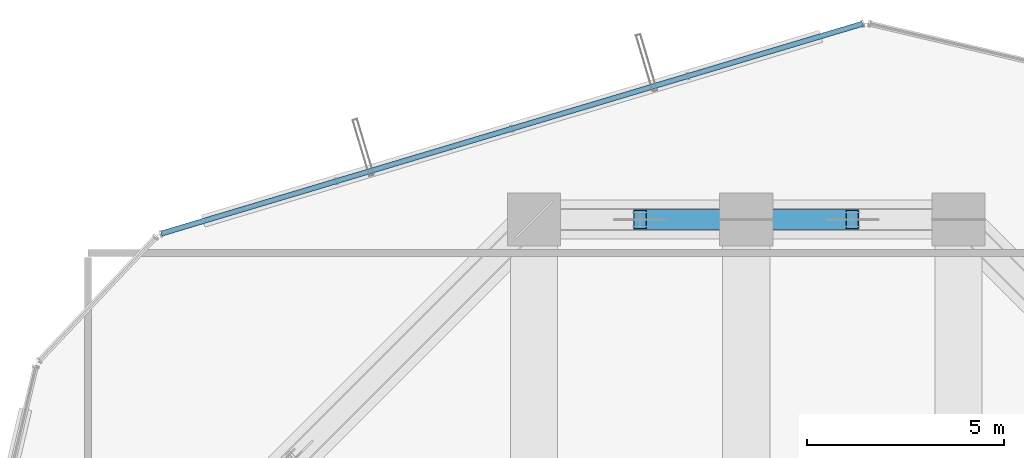
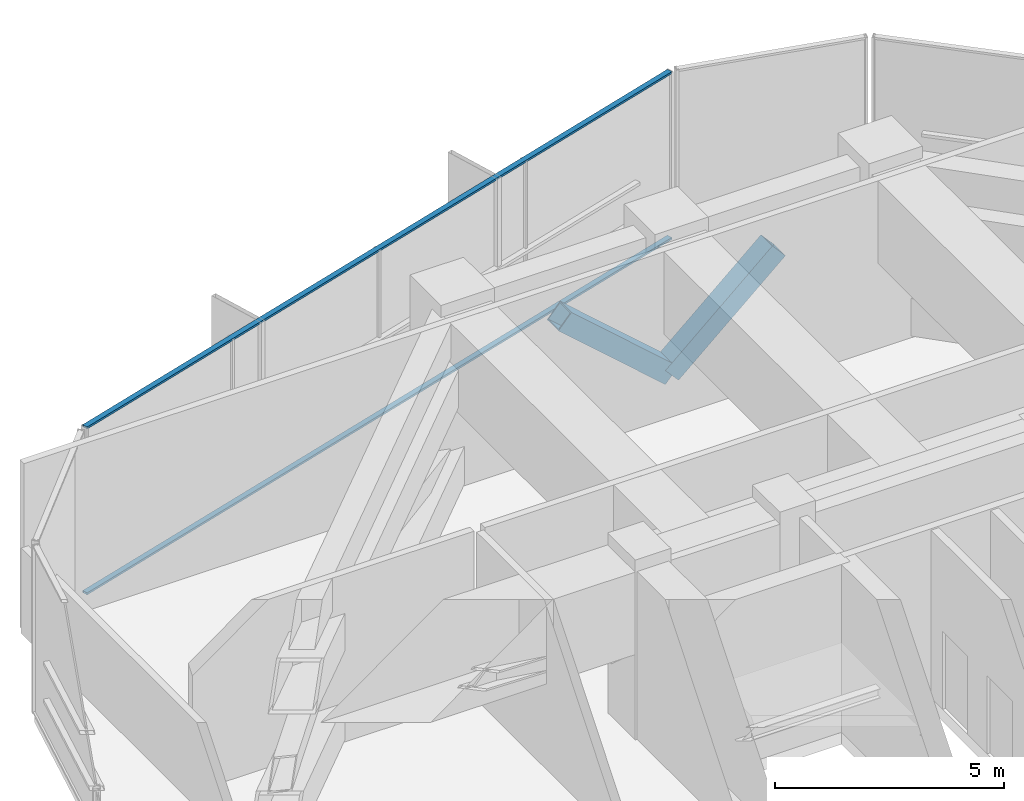
# One storey, part 28 of 41: 4 members, 1 element without a shape of its own.
"""IFC4 building model written with IfcOpenShell, lengths in metres."""

import ifcopenshell
import ifcopenshell.guid

model = None  # the IFC model being written
_history = None  # IfcOwnerHistory: only IFC2X3 demands one
_inside = {}  # id of a spatial element -> (the spatial element, [elements in it])
_under = {}  # id of a project, library or spatial element -> (it, [spatial elements below it])
_declared = {}  # id of a project -> (the project, [libraries it declares])
_typed = {}  # id of a type object -> (the type object, [elements of that type])
_made_of = {}  # id of a material, layer set ... -> (it, [elements and type objects made of it])


def new_model(schema):
    """Start an empty IFC model of exactly this schema.

    Asked for "IFC4X3", IfcOpenShell would pick the latest addendum, in which some entities
    have other attributes; the version numbers below select the first issue.
    IFC2X3 requires an IfcOwnerHistory on every rooted entity: one is made here for all.
    """
    global model, _history
    if schema == "IFC4X3":
        model = ifcopenshell.file(schema_version=(4, 3, 0, 0))
    else:
        model = ifcopenshell.file(schema=schema)
    _inside.clear()
    _under.clear()
    _declared.clear()
    _typed.clear()
    _made_of.clear()
    _history = None
    if model.schema == "IFC2X3":
        org = make("IfcOrganization", Name="unknown")
        user = make(
            "IfcPersonAndOrganization",
            ThePerson=make("IfcPerson", FamilyName="unknown"),
            TheOrganization=org,
        )
        app = make(
            "IfcApplication",
            ApplicationDeveloper=org,
            Version="unknown",
            ApplicationFullName="unknown",
            ApplicationIdentifier="unknown",
        )
        _history = make(
            "IfcOwnerHistory",
            OwningUser=user,
            OwningApplication=app,
            ChangeAction="ADDED",
            CreationDate=0,
        )
    return model


def make(cls, **values):
    """One entity of the class cls with the attributes given. An attribute that is None is left unset."""
    return model.create_entity(
        cls, **{name: value for name, value in values.items() if value is not None}
    )


def rooted(cls, **values):
    """An entity with a GlobalId (a new one), such as an element, a storey or a relation."""
    return make(cls, GlobalId=ifcopenshell.guid.new(), OwnerHistory=_history, **values)


def si_unit(unit_type, name, prefix=None):
    """IfcSIUnit, for example si_unit("LENGTHUNIT", "METRE", prefix="MILLI")."""
    return make("IfcSIUnit", UnitType=unit_type, Prefix=prefix, Name=name)


def assignment(units):
    """IfcUnitAssignment: the units of a project."""
    return None if units is None else make("IfcUnitAssignment", Units=units)


def point(xyz):
    """IfcCartesianPoint."""
    return None if xyz is None else make("IfcCartesianPoint", Coordinates=xyz)


def direction(xyz):
    """IfcDirection."""
    return None if xyz is None else make("IfcDirection", DirectionRatios=xyz)


def frame(location, z_axis=None, x_axis=None):
    """IfcAxis2Placement3D, a coordinate frame: its origin and axes. An axis left out is left unset."""
    return make(
        "IfcAxis2Placement3D",
        Location=point(location),
        Axis=direction(z_axis),
        RefDirection=direction(x_axis),
    )


def frame_2d(location, x_axis=None):
    """IfcAxis2Placement2D, a coordinate frame in the plane: its origin and x axis."""
    return make(
        "IfcAxis2Placement2D", Location=point(location), RefDirection=direction(x_axis)
    )


def origin():
    """The frame at (0, 0, 0) with its axes left unset."""
    return frame((0.0, 0.0, 0.0))


def origin_2d():
    """The frame at (0, 0) in the plane with its x axis left unset."""
    return frame_2d((0.0, 0.0))


def place(relative_to, where):
    """IfcLocalPlacement: puts the frame where relative to a parent placement (None: the world)."""
    return make(
        "IfcLocalPlacement", PlacementRelTo=relative_to, RelativePlacement=where
    )


def context(
    kind, dimensions, precision=None, world=None, true_north=None, identifier=None
):
    """IfcGeometricRepresentationContext, for example the 3D "Model" context."""
    return make(
        "IfcGeometricRepresentationContext",
        ContextIdentifier=identifier,
        ContextType=kind,
        CoordinateSpaceDimension=dimensions,
        Precision=precision,
        WorldCoordinateSystem=world,
        TrueNorth=true_north,
    )


def subcontext(parent, identifier, kind, view, scale=None):
    """IfcGeometricRepresentationSubContext, for example "Body" below "Model"."""
    return make(
        "IfcGeometricRepresentationSubContext",
        ContextIdentifier=identifier,
        ContextType=kind,
        ParentContext=parent,
        TargetScale=scale,
        TargetView=view,
    )


def project(units=None, contexts=None):
    """IfcProject with its units and contexts."""
    return rooted(
        "IfcProject",
        Name="project",
        RepresentationContexts=contexts,
        UnitsInContext=assignment(units),
    )


def spatial(cls, under=None, at=None, **own):
    """A site, building, storey or space (cls), placed at a placement, below another one or the project."""
    s = rooted(cls, ObjectPlacement=at, **own)
    if under is not None:
        _under.setdefault(under.id(), (under, []))[1].append(s)
    return s


def profile(cls, at=None, kind="AREA", **sizes):
    """A parametric profile (cls). Its sizes go by their IFC names, for example OverallWidth=200.0."""
    return make(cls, ProfileType=kind, Position=at, **sizes)


def hollow_rectangle(**sizes):
    """IfcRectangleHollowProfileDef."""
    return profile("IfcRectangleHollowProfileDef", **sizes)


def extrude(swept, where, along, depth):
    """IfcExtrudedAreaSolid: the profile swept, set in the frame where, extruded along a direction by depth."""
    return make(
        "IfcExtrudedAreaSolid",
        SweptArea=swept,
        Position=where,
        ExtrudedDirection=direction(along),
        Depth=depth,
    )


def shape(context_of_items, identifier, shape_type, items):
    """IfcShapeRepresentation: the items that make up one representation, for example the "Body"."""
    return make(
        "IfcShapeRepresentation",
        ContextOfItems=context_of_items,
        RepresentationIdentifier=identifier,
        RepresentationType=shape_type,
        Items=items,
    )


def source(mapping_origin, context_of_items, identifier, shape_type, items):
    """IfcRepresentationMap: a shape defined once, which mapped items show again and again."""
    return make(
        "IfcRepresentationMap",
        MappingOrigin=mapping_origin,
        MappedRepresentation=shape(context_of_items, identifier, shape_type, items),
    )


def transform(
    local_origin,
    x_axis=None,
    y_axis=None,
    z_axis=None,
    scale=None,
    scale2=None,
    scale3=None,
    uniform=True,
):
    """IfcCartesianTransformationOperator3D, or its non-uniform kind. x_axis, y_axis, z_axis: its Axis1, 2, 3."""
    if uniform:
        return make(
            "IfcCartesianTransformationOperator3D",
            Axis1=direction(x_axis),
            Axis2=direction(y_axis),
            LocalOrigin=point(local_origin),
            Scale=scale,
            Axis3=direction(z_axis),
        )
    return make(
        "IfcCartesianTransformationOperator3DnonUniform",
        Axis1=direction(x_axis),
        Axis2=direction(y_axis),
        LocalOrigin=point(local_origin),
        Scale=scale,
        Axis3=direction(z_axis),
        Scale2=scale2,
        Scale3=scale3,
    )


def mapped(mapping_source, mapping_target):
    """IfcMappedItem: shows the shape of a source again, moved by a transform."""
    return make(
        "IfcMappedItem", MappingSource=mapping_source, MappingTarget=mapping_target
    )


def material(Name=None, Category=None):
    """IfcMaterial."""
    return make("IfcMaterial", Name=Name, Category=Category)


def layer(
    of_material, thickness, ventilated=None, Name=None, Category=None, Priority=None
):
    """IfcMaterialLayer: one layer of a wall or slab, of a material (None: an air gap)."""
    return make(
        "IfcMaterialLayer",
        Material=of_material,
        LayerThickness=thickness,
        IsVentilated=ventilated,
        Name=Name,
        Category=Category,
        Priority=Priority,
    )


def layer_set(layers, Name=None):
    """IfcMaterialLayerSet."""
    return make("IfcMaterialLayerSet", MaterialLayers=layers, LayerSetName=Name)


def material_profile(
    of_material, cross_section, Name=None, Category=None, Priority=None
):
    """IfcMaterialProfile: a cross section and its material."""
    return make(
        "IfcMaterialProfile",
        Name=Name,
        Material=of_material,
        Profile=cross_section,
        Priority=Priority,
        Category=Category,
    )


def profile_set(profiles, Name=None, composite=None):
    """IfcMaterialProfileSet."""
    return make(
        "IfcMaterialProfileSet",
        Name=Name,
        MaterialProfiles=profiles,
        CompositeProfile=composite,
    )


def made_of(thing, what):
    """Note that an element or type object is made of a material, layer set ...; save() writes the relation."""
    if what is not None:
        _made_of.setdefault(what.id(), (what, []))[1].append(thing)
    return thing


def type_object(cls, material=None, **own):
    """A type object (cls), such as IfcWallType, which elements share."""
    return made_of(rooted(cls, **own), material)


def element(
    cls,
    number,
    at=None,
    inside=None,
    cuts=None,
    type_object=None,
    material=None,
    context=None,
    identifier="Body",
    shape_type=None,
    held_by="IfcProductDefinitionShape",
    body=None,
    shapes=None,
    **own,
):
    """One element of the class cls, such as IfcWall. Its Tag is "e" and its number.

    at: its placement. inside: the storey or other place that contains it. cuts: it is an
    opening in that element (IfcRelVoidsElement). A single representation is given by context,
    identifier, shape_type and body (its items); several are given by shapes. held_by: the class
    of the entity that holds the representations. save() writes the other relations.
    """
    e = rooted(cls, Tag="e%d" % number, ObjectPlacement=at, **own)
    if body is not None:
        shapes = [shape(context, identifier, shape_type, body)]
    if shapes is not None:
        e.Representation = make(held_by, Representations=shapes)
    if inside is not None:
        _inside.setdefault(inside.id(), (inside, []))[1].append(e)
    if cuts is not None:
        rooted(
            "IfcRelVoidsElement", RelatingBuildingElement=cuts, RelatedOpeningElement=e
        )
    if type_object is not None:
        _typed.setdefault(type_object.id(), (type_object, []))[1].append(e)
    return made_of(e, material)


def aggregate(whole, parts):
    """IfcRelAggregates: a whole, such as a stair, and the parts it consists of."""
    return rooted("IfcRelAggregates", RelatingObject=whole, RelatedObjects=parts)


def save(model, path):
    """Write the relations noted so far, then the file.

    IfcRelAggregates (storeys below a building ...), IfcRelContainedInSpatialStructure (elements
    in a storey), IfcRelDefinesByType, IfcRelAssociatesMaterial and IfcRelDeclares: one each for
    every whole, place, type object, material and project.
    """
    for whole, parts in _under.values():
        aggregate(whole, parts)
    for where, things in _inside.values():
        rooted(
            "IfcRelContainedInSpatialStructure",
            RelatedElements=things,
            RelatingStructure=where,
        )
    for kind, things in _typed.values():
        rooted("IfcRelDefinesByType", RelatedObjects=things, RelatingType=kind)
    for what, things in _made_of.values():
        rooted("IfcRelAssociatesMaterial", RelatedObjects=things, RelatingMaterial=what)
    for by, libraries in _declared.values():
        rooted("IfcRelDeclares", RelatingContext=by, RelatedDefinitions=libraries)
    model.write(path)


model = new_model("IFC4")

# Units and contexts
model_context = context("Model", 3, precision=1e-05, world=origin(), true_north=direction((0.0, 1.0)))
body_context = subcontext(model_context, "Body", "Model", "MODEL_VIEW")
ifc_project = project(units=[si_unit("LENGTHUNIT", "METRE"), si_unit("AREAUNIT", "SQUARE_METRE"), si_unit("VOLUMEUNIT", "CUBIC_METRE"), si_unit("PLANEANGLEUNIT", "RADIAN"), si_unit("MASSUNIT", "GRAM", prefix="KILO")], contexts=[model_context])

# Site, building, storey
site_placement = place(None, origin())
site = spatial("IfcSite", under=ifc_project, at=site_placement, CompositionType="ELEMENT")
building_placement = place(site_placement, origin())
building = spatial("IfcBuilding", under=site, at=building_placement, Name="Veraguas Prism Commons", CompositionType="ELEMENT")
storey_placement = place(building_placement, frame((0.0, 0.0, 80.35009765625)))
storey = spatial("IfcBuildingStorey", under=building, at=storey_placement, Name="L22", CompositionType="ELEMENT", Elevation=80.35009765625)

# Members
ifc_material_1 = material(Name="Steel ASTM A572 Grade 50", Category="steel")
ifc_material_profile_1 = material_profile(ifc_material_1, hollow_rectangle(XDim=0.5, YDim=0.5, WallThickness=0.02490234375, at=origin_2d()), Name="BOX500X500X25")
ifc_profile_set_1 = profile_set([ifc_material_profile_1], Name="Steel ASTM A572 Grade 50")
member_type_1 = type_object("IfcMemberType", Name="Perimeter Belt Diagonal BOX 500x500x25", PredefinedType="BRACE", material=ifc_profile_set_1)
for number, where, z_axis, x_axis, name in (
    (1, (24.0, 41.60009765625, 0.5498046875), (0.750138660667, 0.0, 0.66128056812), (0.0, 1.0, 0.0), "Perimeter Belt Truss Brace L22-04B"),
    (2, (24.0, 41.60009765625, 0.5498046875), (-0.750138660667, 0.0, 0.66128056812), (0.0, -1.0, 0.0), "Perimeter Belt Truss Brace L22-05A"),
):
    element("IfcMember", number, at=place(storey_placement, frame(where, z_axis=z_axis, x_axis=x_axis)), inside=storey, type_object=member_type_1, Name=name, PredefinedType="BRACE", context=body_context, shape_type="SweptSolid", body=[
        extrude(hollow_rectangle(XDim=0.5, YDim=0.5, WallThickness=0.02490234375, at=origin_2d()), origin(), (0.0, 0.0, 1.0), 3.599365234375),
    ])

# Curtain wall, members
ifc_material_2 = material(Name="Anodised aluminium EN AW-6063 T6", Category="aluminium")
ifc_layer = layer(ifc_material_2, 0.169921875, Name="Unitised Flush Curtain Wall Zone 1", Category="aluminium")
ifc_layer_set = layer_set([ifc_layer], Name="Anodised aluminium EN AW-6063 T6")
curtain_wall_type = type_object("IfcCurtainWallType", Name="Unitised Flush Curtain Wall Zone 1", PredefinedType="NOTDEFINED", material=ifc_layer_set)
curtain_wall_placement = place(storey_placement, origin())
curtain_wall = element("IfcCurtainWall", 3, at=curtain_wall_placement, inside=storey, type_object=curtain_wall_type, Name="Tower Facade Curtain Wall L22-F2", PredefinedType="NOTDEFINED")
ifc_material_profile_2 = material_profile(ifc_material_2, hollow_rectangle(XDim=0.054931640625, YDim=0.135009765625, WallThickness=0.0029296875, at=origin_2d()), Name="AL55X135X3")
ifc_profile_set_2 = profile_set([ifc_material_profile_2], Name="Anodised aluminium EN AW-6063 T6")
member_type_2 = type_object("IfcMemberType", Name="Curtain Wall Transom Standard AL 55x135x3", PredefinedType="USERDEFINED", material=ifc_profile_set_2)
shared_shape = source(origin(), body_context, "Body", "SweptSolid", [
    extrude(hollow_rectangle(XDim=0.054931640625, YDim=0.135009765625, WallThickness=0.0029296875, at=origin_2d()), origin(), (0.0, 0.0, 1.0), 18.62353515625),
])
member_1_placement = place(storey_placement, frame((26.962158203125, 46.581787109375, 0.02734375), z_axis=(-0.958020899141, -0.286698372526, 0.0), x_axis=(0.0, 0.0, 1.0)))
member_1 = element("IfcMember", 4, at=member_1_placement, type_object=member_type_2, Name="CW-Z1 Transom 1", ObjectType="TRANSOM", PredefinedType="USERDEFINED", context=body_context, shape_type="MappedRepresentation", body=[
    mapped(shared_shape, transform((0.0, 0.0, 0.0), scale=1.0)),
])
member_2_placement = place(storey_placement, frame((26.962158203125, 46.581787109375, 4.452392578125), z_axis=(-0.958020899141, -0.286698372526, 0.0), x_axis=(0.0, 0.0, 1.0)))
member_2 = element("IfcMember", 5, at=member_2_placement, type_object=member_type_2, Name="CW-Z1 Transom 2", ObjectType="TRANSOM", PredefinedType="USERDEFINED", context=body_context, shape_type="MappedRepresentation", body=[
    mapped(shared_shape, transform((0.0, 0.0, 0.0), scale=1.0)),
])
aggregate(curtain_wall, [member_1, member_2])

save(model, "model.ifc")
